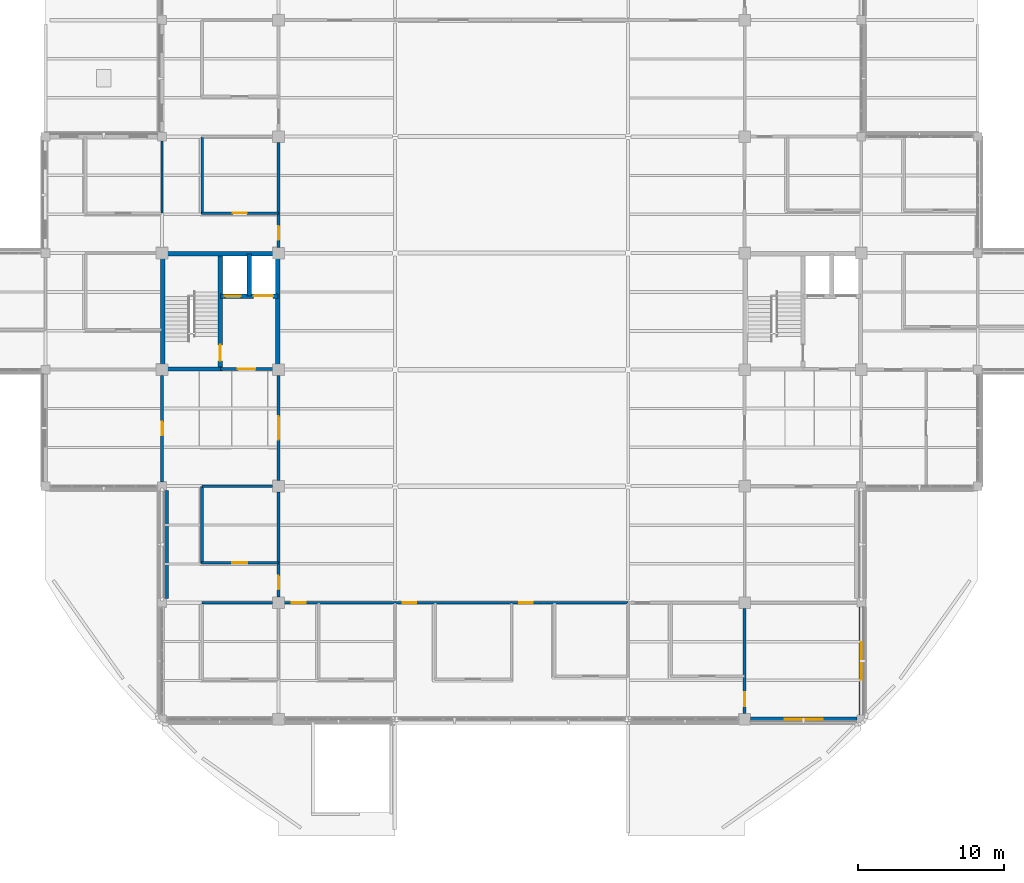
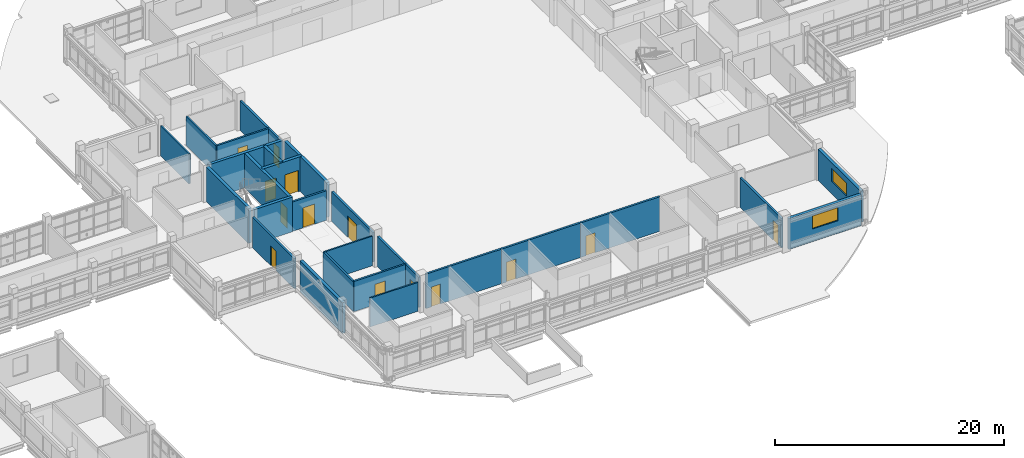
# One storey, part 91 of 126: 26 walls, 14 doors, 2 windows, 16 openings.
"""IFC4 building model written with IfcOpenShell, lengths in metres."""

from ifc_helpers import new_model, si_unit, derived_unit, direction, frame, frame_2d, origin, place, context, subcontext, project, spatial, rectangle, extrude, material, layer, layer_set, type_object, element, fill, save


model = new_model("IFC4")

# Units and contexts
model_context = context("Model", 3, precision=1e-05, world=origin(), true_north=direction((0.0, 1.0)))
body_context = subcontext(model_context, "Body", "Model", "MODEL_VIEW")
ifc_project = project(units=[si_unit("LENGTHUNIT", "METRE"), si_unit("AREAUNIT", "SQUARE_METRE"), si_unit("VOLUMEUNIT", "CUBIC_METRE"), si_unit("PLANEANGLEUNIT", "RADIAN"), si_unit("MASSUNIT", "GRAM", prefix="KILO"), derived_unit("THERMALTRANSMITTANCEUNIT", [(si_unit("MASSUNIT", "GRAM", prefix="KILO"), 1), (si_unit("TIMEUNIT", "SECOND"), -3), (si_unit("THERMODYNAMICTEMPERATUREUNIT", "KELVIN"), -1)])], contexts=[model_context])

# Site, building, storey
site_placement = place(None, origin())
site = spatial("IfcSite", under=ifc_project, at=site_placement, CompositionType="ELEMENT")
building_placement = place(site_placement, origin())
building = spatial("IfcBuilding", under=site, at=building_placement, Name="Veyamyaing Civic Hall", CompositionType="ELEMENT")
storey_placement = place(building_placement, frame((0.0, 0.0, 9.89990234375)))
storey = spatial("IfcBuildingStorey", under=building, at=storey_placement, Name="L02", CompositionType="ELEMENT", Elevation=9.89990234375)

# Wall
ifc_material_1 = material(Name="Precast concrete C40/50", Category="concrete")
ifc_layer_1 = layer(ifc_material_1, 0.304931640625, Name="Precast concrete C40/50")
ifc_layer_set_1 = layer_set([ifc_layer_1], Name="Precast concrete C40/50")
wall_type_1 = type_object("IfcWallType", Name="WT-03", PredefinedType="SOLIDWALL", material=ifc_layer_set_1)
wall_1_placement = place(storey_placement, frame((64.300048828125, 32.284912109375, 0.0), z_axis=(0.0, 0.0, 1.0), x_axis=(0.0, 1.0, 0.0)))
element("IfcWall", 1, at=wall_1_placement, inside=storey, type_object=wall_type_1, Name="Exterior facade wall WT-03 L02 W 9.5", PredefinedType="SOLIDWALL", context=body_context, shape_type="SweptSolid", body=[
    extrude(rectangle(XDim=7.43017578125, YDim=0.304931640625, at=frame_2d((3.715087890625, 0.0))), origin(), (0.0, 0.0, 1.0), 3.2841796875),
])

# Wall, opening, window
wall_2_placement = place(storey_placement, frame((104.385009765625, 24.0, 0.0), z_axis=(0.0, 0.0, 1.0), x_axis=(1.0, 0.0, 0.0)))
wall_2 = element("IfcWall", 2, at=wall_2_placement, inside=storey, type_object=wall_type_1, Name="Exterior facade wall WT-03 L02 S 14.4", PredefinedType="SOLIDWALL", context=body_context, shape_type="SweptSolid", body=[
    extrude(rectangle(XDim=7.330078125, YDim=0.304931640625, at=frame_2d((3.6650390625, 0.0))), origin(), (0.0, 0.0, 1.0), 3.2841796875),
])
opening_1_placement = place(wall_2_placement, frame((2.364990234375, 0.0, 1.35009765625)))
opening_1 = element("IfcOpeningElement", 3, at=opening_1_placement, cuts=wall_2, Name="Opening W-17", PredefinedType="OPENING", context=body_context, shape_type="SweptSolid", body=[
    extrude(rectangle(XDim=2.60009765625, YDim=1.39990234375, at=frame_2d((1.300048828125, 0.699951171875))), frame((0.0, 0.162353515625, 0.0), z_axis=(0.0, -1.0, 0.0), x_axis=(1.0, 0.0, 0.0)), (0.0, 0.0, 1.0), 0.324951171875),
])
ifc_material_2 = material(Name="Low-E insulated glass", Category="glass")
window_type = type_object("IfcWindowType", Name="W-17", PartitioningType="SINGLE_PANEL", PredefinedType="WINDOW", material=ifc_material_2)
window_1_placement = place(opening_1_placement, origin())
window_1 = element("IfcWindow", 4, at=window_1_placement, inside=storey, type_object=window_type, Name="Facade window W-17 L02 S 14.4", OverallHeight=1.39990234375, OverallWidth=2.60009765625, PartitioningType="SINGLE_PANEL", PredefinedType="WINDOW", context=body_context, shape_type="SweptSolid", body=[
    extrude(rectangle(XDim=2.60009765625, YDim=1.39990234375, at=frame_2d((1.300048828125, 0.699951171875))), frame((0.0, 0.030029296875, 0.0), z_axis=(0.0, -1.0, 0.0), x_axis=(1.0, 0.0, 0.0)), (0.0, 0.0, 1.0), 0.06005859375),
])
fill(opening_1, window_1)

wall_3_placement = place(storey_placement, frame((112.0, 24.284912109375, 0.0), z_axis=(0.0, 0.0, 1.0), x_axis=(0.0, 1.0, 0.0)))
wall_3 = element("IfcWall", 5, at=wall_3_placement, inside=storey, type_object=wall_type_1, Name="Exterior facade wall WT-03 L02 E 14.4", PredefinedType="SOLIDWALL", context=body_context, shape_type="SweptSolid", body=[
    extrude(rectangle(XDim=7.43017578125, YDim=0.304931640625, at=frame_2d((3.715087890625, 0.0))), origin(), (0.0, 0.0, 1.0), 3.34716796875),
])
opening_2_placement = place(wall_3_placement, frame((2.4150390625, 0.0, 1.35009765625)))
opening_2 = element("IfcOpeningElement", 6, at=opening_2_placement, cuts=wall_3, Name="Opening W-17", PredefinedType="OPENING", context=body_context, shape_type="SweptSolid", body=[
    extrude(rectangle(XDim=2.60009765625, YDim=1.39990234375, at=frame_2d((1.300048828125, 0.699951171875))), frame((0.0, 0.162353515625, 0.0), z_axis=(0.0, -1.0, 0.0), x_axis=(1.0, 0.0, 0.0)), (0.0, 0.0, 1.0), 0.324951171875),
])
window_2_placement = place(opening_2_placement, origin())
window_2 = element("IfcWindow", 7, at=window_2_placement, inside=storey, type_object=window_type, Name="Facade window W-17 L02 E 14.4", OverallHeight=1.39990234375, OverallWidth=2.60009765625, PartitioningType="SINGLE_PANEL", PredefinedType="WINDOW", context=body_context, shape_type="SweptSolid", body=[
    extrude(rectangle(XDim=2.60009765625, YDim=1.39990234375, at=frame_2d((1.300048828125, 0.699951171875))), frame((0.0, 0.030029296875, 0.0), z_axis=(0.0, -1.0, 0.0), x_axis=(1.0, 0.0, 0.0)), (0.0, 0.0, 1.0), 0.06005859375),
])
fill(opening_2, window_2)

# Walls
ifc_material_3 = material(Name="Concrete C40/50", Category="concrete")
ifc_layer_2 = layer(ifc_material_3, 0.300048828125, Name="Concrete C40/50")
ifc_layer_set_2 = layer_set([ifc_layer_2], Name="Concrete C40/50")
wall_type_2 = type_object("IfcWallType", Name="WT-05", PredefinedType="SHEAR", material=ifc_layer_set_2)
for number, where, z_axis, x_axis, name in (
    (8, (64.050048828125, 48.2900390625, 0.0), (0.0, 0.0, 1.0), (0.0, 1.0, 0.0), "Core shear wall WT-05 CORE-5 L02.W"),
    (9, (64.2900390625, 55.949951171875, 0.0), (0.0, 0.0, 1.0), (1.0, 0.0, 0.0), "Core shear wall WT-05 CORE-5 L02.N"),
    (10, (71.949951171875, 48.2900390625, 0.0), (0.0, 0.0, 1.0), (0.0, 1.0, 0.0), "Core shear wall WT-05 CORE-5 L02.E"),
):
    element("IfcWall", number, at=place(storey_placement, frame(where, z_axis=z_axis, x_axis=x_axis)), inside=storey, type_object=wall_type_2, Name=name, PredefinedType="SHEAR", context=body_context, shape_type="SweptSolid", body=[
        extrude(rectangle(XDim=7.419921875, YDim=0.300048828125, at=frame_2d((3.7099609375, 0.0))), origin(), (0.0, 0.0, 1.0), 3.705078125),
    ])
wall_4_placement = place(storey_placement, frame((64.2900390625, 48.050048828125, 0.0), z_axis=(0.0, 0.0, 1.0), x_axis=(1.0, 0.0, 0.0)))
element("IfcWall", 11, at=wall_4_placement, inside=storey, type_object=wall_type_2, Name="Core shear wall WT-05 CORE-5 L02.SS", PredefinedType="SHEAR", context=body_context, shape_type="SweptSolid", body=[
    extrude(rectangle(XDim=3.85986328125, YDim=0.300048828125, at=frame_2d((1.929931640625, 0.0))), origin(), (0.0, 0.0, 1.0), 3.705078125),
])

# Wall, opening, door
wall_5_placement = place(storey_placement, frame((68.0, 48.050048828125, 0.0), z_axis=(0.0, 0.0, 1.0), x_axis=(0.0, 1.0, 0.0)))
wall_5 = element("IfcWall", 12, at=wall_5_placement, inside=storey, type_object=wall_type_2, Name="Core shear wall WT-05 CORE-5 L02.MID", PredefinedType="SHEAR", context=body_context, shape_type="SweptSolid", body=[
    extrude(rectangle(XDim=7.89990234375, YDim=0.300048828125, at=frame_2d((3.949951171875, 0.0))), origin(), (0.0, 0.0, 1.0), 3.705078125),
])
opening_3_placement = place(wall_5_placement, frame((0.550048828125, 0.0, 0.0)))
opening_3 = element("IfcOpeningElement", 13, at=opening_3_placement, cuts=wall_5, Name="Opening D-03", PredefinedType="OPENING", context=body_context, shape_type="SweptSolid", body=[
    extrude(rectangle(XDim=1.10009765625, YDim=2.14990234375, at=frame_2d((0.550048828125, 1.074951171875))), frame((0.0, 0.159912109375, 0.0), z_axis=(0.0, -1.0, 0.0), x_axis=(1.0, 0.0, 0.0)), (0.0, 0.0, 1.0), 0.320068359375),
])
ifc_material_4 = material(Name="Galvanized steel S355J2", Category="steel")
door_type_1 = type_object("IfcDoorType", Name="D-03", OperationType="NOTDEFINED", PredefinedType="DOOR", material=ifc_material_4)
door_1_placement = place(opening_3_placement, origin())
door_1 = element("IfcDoor", 14, at=door_1_placement, inside=storey, type_object=door_type_1, Name="Exit stair fire door D-03 ST-05 L02", OperationType="SINGLE_SWING_LEFT", OverallHeight=2.14990234375, OverallWidth=1.10009765625, PredefinedType="DOOR", context=body_context, shape_type="SweptSolid", body=[
    extrude(rectangle(XDim=1.10009765625, YDim=2.14990234375, at=frame_2d((0.550048828125, 1.074951171875))), frame((0.0, 0.02490234375, 0.0), z_axis=(0.0, -1.0, 0.0), x_axis=(1.0, 0.0, 0.0)), (0.0, 0.0, 1.0), 0.050048828125),
])
fill(opening_3, door_1)

# Wall, openings, doors
wall_6_placement = place(storey_placement, frame((68.0, 53.050048828125, 0.0), z_axis=(0.0, 0.0, 1.0), x_axis=(1.0, 0.0, 0.0)))
wall_6 = element("IfcWall", 15, at=wall_6_placement, inside=storey, type_object=wall_type_2, Name="Core shear wall WT-05 CORE-5 L02.LFT", PredefinedType="SHEAR", context=body_context, shape_type="SweptSolid", body=[
    extrude(rectangle(XDim=3.949951171875, YDim=0.300048828125, at=frame_2d((1.97509765625, 0.0))), origin(), (0.0, 0.0, 1.0), 3.705078125),
])
opening_4_placement = place(wall_6_placement, frame((0.320068359375, 0.0, 0.0)))
opening_4 = element("IfcOpeningElement", 16, at=opening_4_placement, cuts=wall_6, Name="Opening LD-01", PredefinedType="OPENING", context=body_context, shape_type="SweptSolid", body=[
    extrude(rectangle(XDim=1.10009765625, YDim=2.199951171875, at=frame_2d((0.550048828125, 1.10009765625))), frame((0.0, 0.159912109375, 0.0), z_axis=(0.0, -1.0, 0.0), x_axis=(1.0, 0.0, 0.0)), (0.0, 0.0, 1.0), 0.320068359375),
])
opening_5_placement = place(wall_6_placement, frame((2.280029296875, 0.0, 0.0)))
opening_5 = element("IfcOpeningElement", 17, at=opening_5_placement, cuts=wall_6, Name="Opening LD-03", PredefinedType="OPENING", context=body_context, shape_type="SweptSolid", body=[
    extrude(rectangle(XDim=1.35009765625, YDim=2.300048828125, at=frame_2d((0.675048828125, 1.14990234375))), frame((0.0, 0.159912109375, 0.0), z_axis=(0.0, -1.0, 0.0), x_axis=(1.0, 0.0, 0.0)), (0.0, 0.0, 1.0), 0.320068359375),
])
ifc_material_5 = material(Name="Anodised aluminium 6063-T6", Category="aluminium")
door_type_2 = type_object("IfcDoorType", Name="LD-01", OperationType="SLIDING_TO_LEFT", PredefinedType="DOOR", material=ifc_material_5)
door_2_placement = place(opening_4_placement, origin())
door_2 = element("IfcDoor", 18, at=door_2_placement, inside=storey, type_object=door_type_2, Name="Lift sliding landing door LD-01 PL-03 L02", OperationType="SLIDING_TO_LEFT", OverallHeight=2.199951171875, OverallWidth=1.10009765625, PredefinedType="DOOR", context=body_context, shape_type="SweptSolid", body=[
    extrude(rectangle(XDim=1.10009765625, YDim=2.199951171875, at=frame_2d((0.550048828125, 1.10009765625))), frame((0.0, 0.02490234375, 0.0), z_axis=(0.0, -1.0, 0.0), x_axis=(1.0, 0.0, 0.0)), (0.0, 0.0, 1.0), 0.050048828125),
])
fill(opening_4, door_2)
door_type_3 = type_object("IfcDoorType", Name="LD-03", OperationType="DOUBLE_DOOR_SLIDING", PredefinedType="DOOR", material=ifc_material_4)
door_3_placement = place(opening_5_placement, origin())
door_3 = element("IfcDoor", 19, at=door_3_placement, inside=storey, type_object=door_type_3, Name="Lift sliding landing door LD-03 GL-01 L02", OperationType="DOUBLE_DOOR_SLIDING", OverallHeight=2.300048828125, OverallWidth=1.35009765625, PredefinedType="DOOR", context=body_context, shape_type="SweptSolid", body=[
    extrude(rectangle(XDim=1.35009765625, YDim=2.300048828125, at=frame_2d((0.675048828125, 1.14990234375))), frame((0.0, 0.02490234375, 0.0), z_axis=(0.0, -1.0, 0.0), x_axis=(1.0, 0.0, 0.0)), (0.0, 0.0, 1.0), 0.050048828125),
])
fill(opening_5, door_3)

# Wall
wall_7_placement = place(storey_placement, frame((69.97998046875, 53.050048828125, 0.0), z_axis=(0.0, 0.0, 1.0), x_axis=(0.0, 1.0, 0.0)))
element("IfcWall", 20, at=wall_7_placement, inside=storey, type_object=wall_type_2, Name="Core shear wall WT-05 CORE-5 L02.LDIV", PredefinedType="SHEAR", context=body_context, shape_type="SweptSolid", body=[
    extrude(rectangle(XDim=2.89990234375, YDim=0.300048828125, at=frame_2d((1.449951171875, 0.0))), origin(), (0.0, 0.0, 1.0), 3.705078125),
])

# Wall, opening, door
ifc_layer_3 = layer(ifc_material_3, 0.199951171875, Name="Concrete C40/50")
ifc_layer_set_3 = layer_set([ifc_layer_3], Name="Concrete C40/50")
wall_type_3 = type_object("IfcWallType", Name="WT-06", PredefinedType="PARTITIONING", material=ifc_layer_set_3)
wall_8_placement = place(storey_placement, frame((68.0, 48.050048828125, 0.0), z_axis=(0.0, 0.0, 1.0), x_axis=(1.0, 0.0, 0.0)))
wall_8 = element("IfcWall", 21, at=wall_8_placement, inside=storey, type_object=wall_type_3, Name="Firefighting lift lobby wall WT-06 CORE-5 L02", PredefinedType="PARTITIONING", context=body_context, shape_type="SweptSolid", body=[
    extrude(rectangle(XDim=3.610107421875, YDim=0.199951171875, at=frame_2d((1.80517578125, 0.0))), origin(), (0.0, 0.0, 1.0), 3.14111328125),
])
opening_6_placement = place(wall_8_placement, frame((1.205078125, 0.0, 0.0)))
opening_6 = element("IfcOpeningElement", 22, at=opening_6_placement, cuts=wall_8, Name="Opening D-04", PredefinedType="OPENING", context=body_context, shape_type="SweptSolid", body=[
    extrude(rectangle(XDim=1.199951171875, YDim=2.14990234375, at=frame_2d((0.60009765625, 1.074951171875))), frame((0.0, 0.10986328125, 0.0), z_axis=(0.0, -1.0, 0.0), x_axis=(1.0, 0.0, 0.0)), (0.0, 0.0, 1.0), 0.219970703125),
])
door_type_4 = type_object("IfcDoorType", Name="D-04", OperationType="NOTDEFINED", PredefinedType="DOOR", material=ifc_material_4)
door_4_placement = place(opening_6_placement, frame((1.199951171875, 0.0, 0.0), z_axis=(0.0, 0.0, 1.0), x_axis=(-1.0, 0.0, 0.0)))
door_4 = element("IfcDoor", 23, at=door_4_placement, inside=storey, type_object=door_type_4, Name="Protected lobby fire door D-04 CORE-5 L02", OperationType="SINGLE_SWING_RIGHT", OverallHeight=2.14990234375, OverallWidth=1.199951171875, PredefinedType="DOOR", context=body_context, shape_type="SweptSolid", body=[
    extrude(rectangle(XDim=1.199951171875, YDim=2.14990234375, at=frame_2d((0.60009765625, 1.074951171875))), frame((0.0, 0.02490234375, 0.0), z_axis=(0.0, -1.0, 0.0), x_axis=(1.0, 0.0, 0.0)), (0.0, 0.0, 1.0), 0.050048828125),
])
fill(opening_6, door_4)

wall_9_placement = place(storey_placement, frame((64.0, 40.2900390625, 0.0), z_axis=(0.0, 0.0, 1.0), x_axis=(0.0, 1.0, 0.0)))
wall_9 = element("IfcWall", 24, at=wall_9_placement, inside=storey, type_object=wall_type_3, Name="Interior partition wall WT-06 L02.20", PredefinedType="PARTITIONING", context=body_context, shape_type="SweptSolid", body=[
    extrude(rectangle(XDim=7.320068359375, YDim=0.199951171875, at=frame_2d((3.66015625, 0.0))), origin(), (0.0, 0.0, 1.0), 3.22705078125),
])
opening_7_placement = place(wall_9_placement, frame((3.199951171875, 0.0, 0.0)))
opening_7 = element("IfcOpeningElement", 25, at=opening_7_placement, cuts=wall_9, Name="Opening D-16", PredefinedType="OPENING", context=body_context, shape_type="SweptSolid", body=[
    extrude(rectangle(XDim=0.919921875, YDim=2.10009765625, at=frame_2d((0.4599609375, 1.050048828125))), frame((0.0, 0.10986328125, 0.0), z_axis=(0.0, -1.0, 0.0), x_axis=(1.0, 0.0, 0.0)), (0.0, 0.0, 1.0), 0.219970703125),
])
ifc_material_6 = material(Name="Teak-veneered acoustic timber", Category="wood")
door_type_5 = type_object("IfcDoorType", Name="D-16", OperationType="NOTDEFINED", PredefinedType="DOOR", material=ifc_material_6)
door_5_placement = place(opening_7_placement, origin())
door_5 = element("IfcDoor", 26, at=door_5_placement, inside=storey, type_object=door_type_5, Name="Interior door D-16 L02.20", OperationType="SINGLE_SWING_RIGHT", OverallHeight=2.10009765625, OverallWidth=0.919921875, PredefinedType="DOOR", context=body_context, shape_type="SweptSolid", body=[
    extrude(rectangle(XDim=0.919921875, YDim=2.10009765625, at=frame_2d((0.4599609375, 1.050048828125))), frame((0.0, 0.02490234375, 0.0), z_axis=(0.0, -1.0, 0.0), x_axis=(1.0, 0.0, 0.0)), (0.0, 0.0, 1.0), 0.050048828125),
])
fill(opening_7, door_5)

wall_10_placement = place(storey_placement, frame((72.0, 32.389892578125, 0.0), z_axis=(0.0, 0.0, 1.0), x_axis=(0.0, 1.0, 0.0)))
wall_10 = element("IfcWall", 27, at=wall_10_placement, inside=storey, type_object=wall_type_3, Name="Interior partition wall WT-06 L02.22", PredefinedType="PARTITIONING", context=body_context, shape_type="SweptSolid", body=[
    extrude(rectangle(XDim=7.22021484375, YDim=0.199951171875, at=frame_2d((3.610107421875, 0.0))), origin(), (0.0, 0.0, 1.0), 3.22705078125),
])
opening_8_placement = place(wall_10_placement, frame((0.52001953125, 0.0, 0.0)))
opening_8 = element("IfcOpeningElement", 28, at=opening_8_placement, cuts=wall_10, Name="Opening D-30", PredefinedType="OPENING", context=body_context, shape_type="SweptSolid", body=[
    extrude(rectangle(XDim=0.93994140625, YDim=2.1201171875, at=frame_2d((0.469970703125, 1.06005859375))), frame((0.0, 0.10986328125, 0.0), z_axis=(0.0, -1.0, 0.0), x_axis=(1.0, 0.0, 0.0)), (0.0, 0.0, 1.0), 0.219970703125),
])
door_type_6 = type_object("IfcDoorType", Name="D-30", OperationType="NOTDEFINED", PredefinedType="DOOR", material=ifc_material_6)
door_6_placement = place(opening_8_placement, frame((0.93994140625, 0.0, 0.0), z_axis=(0.0, 0.0, 1.0), x_axis=(-1.0, 0.0, 0.0)))
door_6 = element("IfcDoor", 29, at=door_6_placement, inside=storey, type_object=door_type_6, Name="Interior door D-30 L02.22", OperationType="SINGLE_SWING_LEFT", OverallHeight=2.1201171875, OverallWidth=0.93994140625, PredefinedType="DOOR", context=body_context, shape_type="SweptSolid", body=[
    extrude(rectangle(XDim=0.93994140625, YDim=2.1201171875, at=frame_2d((0.469970703125, 1.06005859375))), frame((0.0, 0.02490234375, 0.0), z_axis=(0.0, -1.0, 0.0), x_axis=(1.0, 0.0, 0.0)), (0.0, 0.0, 1.0), 0.050048828125),
])
fill(opening_8, door_6)

wall_11_placement = place(storey_placement, frame((72.0, 40.389892578125, 0.0), z_axis=(0.0, 0.0, 1.0), x_axis=(0.0, 1.0, 0.0)))
wall_11 = element("IfcWall", 30, at=wall_11_placement, inside=storey, type_object=wall_type_3, Name="Interior partition wall WT-06 L02.23", PredefinedType="PARTITIONING", context=body_context, shape_type="SweptSolid", body=[
    extrude(rectangle(XDim=7.22021484375, YDim=0.199951171875, at=frame_2d((3.610107421875, 0.0))), origin(), (0.0, 0.0, 1.0), 3.151123046875),
])
opening_9_placement = place(wall_11_placement, frame((2.81005859375, 0.0, 0.0)))
opening_9 = element("IfcOpeningElement", 31, at=opening_9_placement, cuts=wall_11, Name="Opening D-09", PredefinedType="OPENING", context=body_context, shape_type="SweptSolid", body=[
    extrude(rectangle(XDim=1.60009765625, YDim=2.25, at=frame_2d((0.800048828125, 1.125))), frame((0.0, 0.10986328125, 0.0), z_axis=(0.0, -1.0, 0.0), x_axis=(1.0, 0.0, 0.0)), (0.0, 0.0, 1.0), 0.219970703125),
])
door_type_7 = type_object("IfcDoorType", Name="D-09", OperationType="DOUBLE_DOOR_SINGLE_SWING", PredefinedType="DOOR", material=ifc_material_6)
door_7_placement = place(opening_9_placement, frame((1.60009765625, 0.0, 0.0), z_axis=(0.0, 0.0, 1.0), x_axis=(-1.0, 0.0, 0.0)))
door_7 = element("IfcDoor", 32, at=door_7_placement, inside=storey, type_object=door_type_7, Name="Interior door D-09 L02.23", OperationType="DOUBLE_DOOR_SINGLE_SWING", OverallHeight=2.25, OverallWidth=1.60009765625, PredefinedType="DOOR", context=body_context, shape_type="SweptSolid", body=[
    extrude(rectangle(XDim=1.60009765625, YDim=2.25, at=frame_2d((0.800048828125, 1.125))), frame((0.0, 0.02490234375, 0.0), z_axis=(0.0, -1.0, 0.0), x_axis=(1.0, 0.0, 0.0)), (0.0, 0.0, 1.0), 0.050048828125),
])
fill(opening_9, door_7)

wall_12_placement = place(storey_placement, frame((72.0, 56.389892578125, 0.0), z_axis=(0.0, 0.0, 1.0), x_axis=(0.0, 1.0, 0.0)))
wall_12 = element("IfcWall", 33, at=wall_12_placement, inside=storey, type_object=wall_type_3, Name="Interior partition wall WT-06 L02.24", PredefinedType="PARTITIONING", context=body_context, shape_type="SweptSolid", body=[
    extrude(rectangle(XDim=7.22021484375, YDim=0.199951171875, at=frame_2d((3.610107421875, 0.0))), origin(), (0.0, 0.0, 1.0), 3.156982421875),
])
opening_10_placement = place(wall_12_placement, frame((0.52001953125, 0.0, 0.0)))
opening_10 = element("IfcOpeningElement", 34, at=opening_10_placement, cuts=wall_12, Name="Opening D-30", PredefinedType="OPENING", context=body_context, shape_type="SweptSolid", body=[
    extrude(rectangle(XDim=0.93994140625, YDim=2.1201171875, at=frame_2d((0.469970703125, 1.06005859375))), frame((0.0, 0.10986328125, 0.0), z_axis=(0.0, -1.0, 0.0), x_axis=(1.0, 0.0, 0.0)), (0.0, 0.0, 1.0), 0.219970703125),
])
door_8_placement = place(opening_10_placement, frame((0.93994140625, 0.0, 0.0), z_axis=(0.0, 0.0, 1.0), x_axis=(-1.0, 0.0, 0.0)))
door_8 = element("IfcDoor", 35, at=door_8_placement, inside=storey, type_object=door_type_6, Name="Interior door D-30 L02.24", OperationType="SINGLE_SWING_RIGHT", OverallHeight=2.1201171875, OverallWidth=0.93994140625, PredefinedType="DOOR", context=body_context, shape_type="SweptSolid", body=[
    extrude(rectangle(XDim=0.93994140625, YDim=2.1201171875, at=frame_2d((0.469970703125, 1.06005859375))), frame((0.0, 0.02490234375, 0.0), z_axis=(0.0, -1.0, 0.0), x_axis=(1.0, 0.0, 0.0)), (0.0, 0.0, 1.0), 0.050048828125),
])
fill(opening_10, door_8)

wall_13_placement = place(storey_placement, frame((72.389892578125, 32.0, 0.0), z_axis=(0.0, 0.0, 1.0), x_axis=(1.0, 0.0, 0.0)))
wall_13 = element("IfcWall", 36, at=wall_13_placement, inside=storey, type_object=wall_type_3, Name="Interior partition wall WT-06 L02.26", PredefinedType="PARTITIONING", context=body_context, shape_type="SweptSolid", body=[
    extrude(rectangle(XDim=7.610107421875, YDim=0.199951171875, at=frame_2d((3.80517578125, 0.0))), origin(), (0.0, 0.0, 1.0), 3.695068359375),
])
opening_11_placement = place(wall_13_placement, frame((0.52001953125, 0.0, 0.0)))
opening_11 = element("IfcOpeningElement", 37, at=opening_11_placement, cuts=wall_13, Name="Opening D-30", PredefinedType="OPENING", context=body_context, shape_type="SweptSolid", body=[
    extrude(rectangle(XDim=0.93994140625, YDim=2.1201171875, at=frame_2d((0.469970703125, 1.06005859375))), frame((0.0, 0.10986328125, 0.0), z_axis=(0.0, -1.0, 0.0), x_axis=(1.0, 0.0, 0.0)), (0.0, 0.0, 1.0), 0.219970703125),
])
door_9_placement = place(opening_11_placement, origin())
door_9 = element("IfcDoor", 38, at=door_9_placement, inside=storey, type_object=door_type_6, Name="Interior door D-30 L02.26", OperationType="SINGLE_SWING_RIGHT", OverallHeight=2.1201171875, OverallWidth=0.93994140625, PredefinedType="DOOR", context=body_context, shape_type="SweptSolid", body=[
    extrude(rectangle(XDim=0.93994140625, YDim=2.1201171875, at=frame_2d((0.469970703125, 1.06005859375))), frame((0.0, 0.02490234375, 0.0), z_axis=(0.0, -1.0, 0.0), x_axis=(1.0, 0.0, 0.0)), (0.0, 0.0, 1.0), 0.050048828125),
])
fill(opening_11, door_9)

wall_14_placement = place(storey_placement, frame((80.0, 32.0, 0.0), z_axis=(0.0, 0.0, 1.0), x_axis=(1.0, 0.0, 0.0)))
wall_14 = element("IfcWall", 39, at=wall_14_placement, inside=storey, type_object=wall_type_3, Name="Interior partition wall WT-06 L02.28", PredefinedType="PARTITIONING", context=body_context, shape_type="SweptSolid", body=[
    extrude(rectangle(XDim=8.0, YDim=0.199951171875, at=frame_2d((4.0, 0.0))), origin(), (0.0, 0.0, 1.0), 3.695068359375),
])
opening_12_placement = place(wall_14_placement, frame((0.52001953125, 0.0, 0.0)))
opening_12 = element("IfcOpeningElement", 40, at=opening_12_placement, cuts=wall_14, Name="Opening D-30", PredefinedType="OPENING", context=body_context, shape_type="SweptSolid", body=[
    extrude(rectangle(XDim=0.93994140625, YDim=2.1201171875, at=frame_2d((0.469970703125, 1.06005859375))), frame((0.0, 0.10986328125, 0.0), z_axis=(0.0, -1.0, 0.0), x_axis=(1.0, 0.0, 0.0)), (0.0, 0.0, 1.0), 0.219970703125),
])
door_10_placement = place(opening_12_placement, origin())
door_10 = element("IfcDoor", 41, at=door_10_placement, inside=storey, type_object=door_type_6, Name="Interior door D-30 L02.28", OperationType="SINGLE_SWING_LEFT", OverallHeight=2.1201171875, OverallWidth=0.93994140625, PredefinedType="DOOR", context=body_context, shape_type="SweptSolid", body=[
    extrude(rectangle(XDim=0.93994140625, YDim=2.1201171875, at=frame_2d((0.469970703125, 1.06005859375))), frame((0.0, 0.02490234375, 0.0), z_axis=(0.0, -1.0, 0.0), x_axis=(1.0, 0.0, 0.0)), (0.0, 0.0, 1.0), 0.050048828125),
])
fill(opening_12, door_10)

wall_15_placement = place(storey_placement, frame((88.0, 32.0, 0.0), z_axis=(0.0, 0.0, 1.0), x_axis=(1.0, 0.0, 0.0)))
wall_15 = element("IfcWall", 42, at=wall_15_placement, inside=storey, type_object=wall_type_3, Name="Interior partition wall WT-06 L02.30", PredefinedType="PARTITIONING", context=body_context, shape_type="SweptSolid", body=[
    extrude(rectangle(XDim=8.0, YDim=0.199951171875, at=frame_2d((4.0, 0.0))), origin(), (0.0, 0.0, 1.0), 3.695068359375),
])
opening_13_placement = place(wall_15_placement, frame((0.52001953125, 0.0, 0.0)))
opening_13 = element("IfcOpeningElement", 43, at=opening_13_placement, cuts=wall_15, Name="Opening D-30", PredefinedType="OPENING", context=body_context, shape_type="SweptSolid", body=[
    extrude(rectangle(XDim=0.93994140625, YDim=2.1201171875, at=frame_2d((0.469970703125, 1.06005859375))), frame((0.0, 0.10986328125, 0.0), z_axis=(0.0, -1.0, 0.0), x_axis=(1.0, 0.0, 0.0)), (0.0, 0.0, 1.0), 0.219970703125),
])
door_11_placement = place(opening_13_placement, origin())
door_11 = element("IfcDoor", 44, at=door_11_placement, inside=storey, type_object=door_type_6, Name="Interior door D-30 L02.30", OperationType="SINGLE_SWING_RIGHT", OverallHeight=2.1201171875, OverallWidth=0.93994140625, PredefinedType="DOOR", context=body_context, shape_type="SweptSolid", body=[
    extrude(rectangle(XDim=0.93994140625, YDim=2.1201171875, at=frame_2d((0.469970703125, 1.06005859375))), frame((0.0, 0.02490234375, 0.0), z_axis=(0.0, -1.0, 0.0), x_axis=(1.0, 0.0, 0.0)), (0.0, 0.0, 1.0), 0.050048828125),
])
fill(opening_13, door_11)

wall_16_placement = place(storey_placement, frame((104.0, 24.389892578125, 0.0), z_axis=(0.0, 0.0, 1.0), x_axis=(0.0, 1.0, 0.0)))
wall_16 = element("IfcWall", 45, at=wall_16_placement, inside=storey, type_object=wall_type_3, Name="Interior partition wall WT-06 L02.32", PredefinedType="PARTITIONING", context=body_context, shape_type="SweptSolid", body=[
    extrude(rectangle(XDim=7.22021484375, YDim=0.199951171875, at=frame_2d((3.610107421875, 0.0))), origin(), (0.0, 0.0, 1.0), 3.156982421875),
])
opening_14_placement = place(wall_16_placement, frame((0.52001953125, 0.0, 0.0)))
opening_14 = element("IfcOpeningElement", 46, at=opening_14_placement, cuts=wall_16, Name="Opening D-30", PredefinedType="OPENING", context=body_context, shape_type="SweptSolid", body=[
    extrude(rectangle(XDim=0.93994140625, YDim=2.1201171875, at=frame_2d((0.469970703125, 1.06005859375))), frame((0.0, 0.10986328125, 0.0), z_axis=(0.0, -1.0, 0.0), x_axis=(1.0, 0.0, 0.0)), (0.0, 0.0, 1.0), 0.219970703125),
])
door_12_placement = place(opening_14_placement, frame((0.93994140625, 0.0, 0.0), z_axis=(0.0, 0.0, 1.0), x_axis=(-1.0, 0.0, 0.0)))
door_12 = element("IfcDoor", 47, at=door_12_placement, inside=storey, type_object=door_type_6, Name="Interior door D-30 L02.32", OperationType="SINGLE_SWING_LEFT", OverallHeight=2.1201171875, OverallWidth=0.93994140625, PredefinedType="DOOR", context=body_context, shape_type="SweptSolid", body=[
    extrude(rectangle(XDim=0.93994140625, YDim=2.1201171875, at=frame_2d((0.469970703125, 1.06005859375))), frame((0.0, 0.02490234375, 0.0), z_axis=(0.0, -1.0, 0.0), x_axis=(1.0, 0.0, 0.0)), (0.0, 0.0, 1.0), 0.050048828125),
])
fill(opening_14, door_12)

ifc_material_7 = material(Name="Gypsum board on acoustic steel stud", Category="steel")
ifc_layer_4 = layer(ifc_material_7, 0.175048828125, Name="Gypsum board on acoustic steel stud")
ifc_layer_set_4 = layer_set([ifc_layer_4], Name="Gypsum board on acoustic steel stud")
wall_type_4 = type_object("IfcWallType", Name="WT-07", PredefinedType="PARTITIONING", material=ifc_layer_set_4)
wall_17_placement = place(storey_placement, frame((66.699951171875, 58.75, 0.0), z_axis=(0.0, 0.0, 1.0), x_axis=(1.0, 0.0, 0.0)))
wall_17 = element("IfcWall", 48, at=wall_17_placement, inside=storey, type_object=wall_type_4, Name="Corridor gallery partition WT-07 L02.33.1", PredefinedType="PARTITIONING", context=body_context, shape_type="SweptSolid", body=[
    extrude(rectangle(XDim=5.280029296875, YDim=0.175048828125, at=frame_2d((2.64013671875, 0.0))), origin(), (0.0, 0.0, 1.0), 3.156982421875),
])
opening_15_placement = place(wall_17_placement, frame((2.159912109375, 0.0, 0.0)))
opening_15 = element("IfcOpeningElement", 49, at=opening_15_placement, cuts=wall_17, Name="Opening D-25", PredefinedType="OPENING", context=body_context, shape_type="SweptSolid", body=[
    extrude(rectangle(XDim=0.9599609375, YDim=2.139892578125, at=frame_2d((0.47998046875, 1.06982421875))), frame((0.0, 0.097412109375, 0.0), z_axis=(0.0, -1.0, 0.0), x_axis=(1.0, 0.0, 0.0)), (0.0, 0.0, 1.0), 0.195068359375),
])
door_type_8 = type_object("IfcDoorType", Name="D-25", OperationType="NOTDEFINED", PredefinedType="DOOR", material=ifc_material_6)
door_13_placement = place(opening_15_placement, origin())
door_13 = element("IfcDoor", 50, at=door_13_placement, inside=storey, type_object=door_type_8, Name="Gallery office door D-25 L02.33", OperationType="SINGLE_SWING_LEFT", OverallHeight=2.139892578125, OverallWidth=0.9599609375, PredefinedType="DOOR", context=body_context, shape_type="SweptSolid", body=[
    extrude(rectangle(XDim=0.9599609375, YDim=2.139892578125, at=frame_2d((0.47998046875, 1.06982421875))), frame((0.0, 0.02490234375, 0.0), z_axis=(0.0, -1.0, 0.0), x_axis=(1.0, 0.0, 0.0)), (0.0, 0.0, 1.0), 0.050048828125),
])
fill(opening_15, door_13)

# Walls
wall_18_placement = place(storey_placement, frame((66.75, 58.699951171875, 0.0), z_axis=(0.0, 0.0, 1.0), x_axis=(0.0, 1.0, 0.0)))
element("IfcWall", 51, at=wall_18_placement, inside=storey, type_object=wall_type_4, Name="Corridor gallery partition WT-07 L02.33.2", PredefinedType="PARTITIONING", context=body_context, shape_type="SweptSolid", body=[
    extrude(rectangle(XDim=5.280029296875, YDim=0.175048828125, at=frame_2d((2.64013671875, 0.0))), origin(), (0.0, 0.0, 1.0), 3.08203125),
])
ifc_material_8 = material(Name="Gypsum board on steel stud", Category="steel")
ifc_layer_5 = layer(ifc_material_8, 0.14990234375, Name="Gypsum board on steel stud")
ifc_layer_set_5 = layer_set([ifc_layer_5], Name="Gypsum board on steel stud")
wall_type_5 = type_object("IfcWallType", Name="WT-08", PredefinedType="PARTITIONING", material=ifc_layer_set_5)
wall_19_placement = place(storey_placement, frame((64.0, 58.75, 0.0), z_axis=(0.0, 0.0, 1.0), x_axis=(0.0, 1.0, 0.0)))
element("IfcWall", 52, at=wall_19_placement, inside=storey, type_object=wall_type_5, Name="Gallery office end partition WT-08 L02.30.2", PredefinedType="PARTITIONING", context=body_context, shape_type="SweptSolid", body=[
    extrude(rectangle(XDim=4.93994140625, YDim=0.14990234375, at=frame_2d((2.469970703125, 0.0))), origin(), (0.0, 0.0, 1.0), 3.22119140625),
])
wall_20_placement = place(storey_placement, frame((66.75, 32.0, 0.0), z_axis=(0.0, 0.0, 1.0), x_axis=(1.0, 0.0, 0.0)))
element("IfcWall", 53, at=wall_20_placement, inside=storey, type_object=wall_type_5, Name="Gallery office end partition WT-08 L02.31.1", PredefinedType="PARTITIONING", context=body_context, shape_type="SweptSolid", body=[
    extrude(rectangle(XDim=4.840087890625, YDim=0.14990234375, at=frame_2d((2.419921875, 0.0))), origin(), (0.0, 0.0, 1.0), 3.08203125),
])
wall_21_placement = place(storey_placement, frame((66.75, 40.0, 0.0), z_axis=(0.0, 0.0, 1.0), x_axis=(1.0, 0.0, 0.0)))
element("IfcWall", 54, at=wall_21_placement, inside=storey, type_object=wall_type_5, Name="Gallery office end partition WT-08 L02.32.1", PredefinedType="PARTITIONING", context=body_context, shape_type="SweptSolid", body=[
    extrude(rectangle(XDim=4.840087890625, YDim=0.14990234375, at=frame_2d((2.419921875, 0.0))), origin(), (0.0, 0.0, 1.0), 3.156982421875),
])

# Wall, opening, door
ifc_material_9 = material(Name="Gypsum board on double acoustic stud")
ifc_layer_6 = layer(ifc_material_9, 0.18505859375, Name="Gypsum board on double acoustic stud")
ifc_layer_set_6 = layer_set([ifc_layer_6], Name="Gypsum board on double acoustic stud")
wall_type_6 = type_object("IfcWallType", Name="WT-19", PredefinedType="PARTITIONING", material=ifc_layer_set_6)
wall_22_placement = place(storey_placement, frame((66.699951171875, 34.75, 0.0), z_axis=(0.0, 0.0, 1.0), x_axis=(1.0, 0.0, 0.0)))
wall_22 = element("IfcWall", 55, at=wall_22_placement, inside=storey, type_object=wall_type_6, Name="Corridor gallery partition WT-19 L02.32.1", PredefinedType="PARTITIONING", context=body_context, shape_type="SweptSolid", body=[
    extrude(rectangle(XDim=5.280029296875, YDim=0.18505859375, at=frame_2d((2.64013671875, 0.0))), origin(), (0.0, 0.0, 1.0), 3.22705078125),
])
opening_16_placement = place(wall_22_placement, frame((2.1201171875, 0.0, 0.0)))
opening_16 = element("IfcOpeningElement", 56, at=opening_16_placement, cuts=wall_22, Name="Opening D-24", PredefinedType="OPENING", context=body_context, shape_type="SweptSolid", body=[
    extrude(rectangle(XDim=1.0400390625, YDim=2.179931640625, at=frame_2d((0.52001953125, 1.08984375))), frame((0.0, 0.1025390625, 0.0), z_axis=(0.0, -1.0, 0.0), x_axis=(1.0, 0.0, 0.0)), (0.0, 0.0, 1.0), 0.205078125),
])
door_type_9 = type_object("IfcDoorType", Name="D-24", OperationType="NOTDEFINED", PredefinedType="DOOR", material=ifc_material_6)
door_14_placement = place(opening_16_placement, origin())
door_14 = element("IfcDoor", 57, at=door_14_placement, inside=storey, type_object=door_type_9, Name="Gallery office door D-24 L02.32", OperationType="SINGLE_SWING_RIGHT", OverallHeight=2.179931640625, OverallWidth=1.0400390625, PredefinedType="DOOR", context=body_context, shape_type="SweptSolid", body=[
    extrude(rectangle(XDim=1.0400390625, YDim=2.179931640625, at=frame_2d((0.52001953125, 1.08984375))), frame((0.0, 0.02490234375, 0.0), z_axis=(0.0, -1.0, 0.0), x_axis=(1.0, 0.0, 0.0)), (0.0, 0.0, 1.0), 0.050048828125),
])
fill(opening_16, door_14)

# Wall
wall_23_placement = place(storey_placement, frame((66.75, 34.699951171875, 0.0), z_axis=(0.0, 0.0, 1.0), x_axis=(0.0, 1.0, 0.0)))
element("IfcWall", 58, at=wall_23_placement, inside=storey, type_object=wall_type_6, Name="Corridor gallery partition WT-19 L02.32.2", PredefinedType="PARTITIONING", context=body_context, shape_type="SweptSolid", body=[
    extrude(rectangle(XDim=5.280029296875, YDim=0.18505859375, at=frame_2d((2.64013671875, 0.0))), origin(), (0.0, 0.0, 1.0), 3.156982421875),
])

save(model, "model.ifc")
